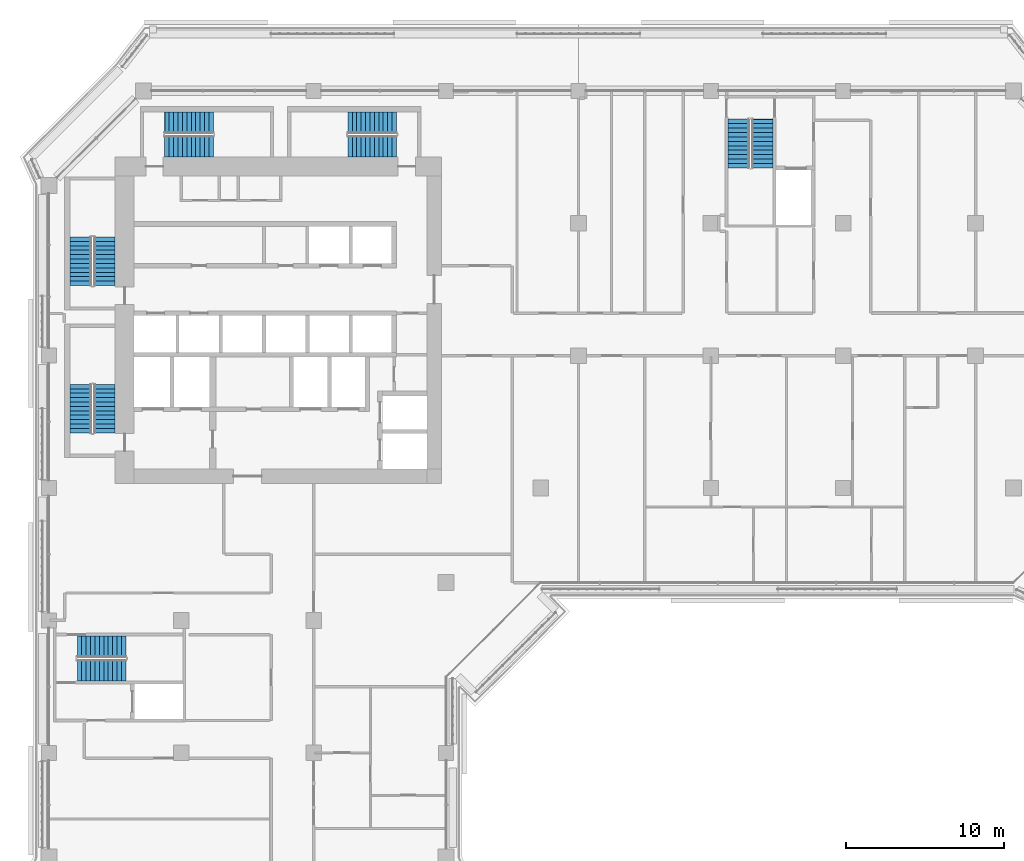
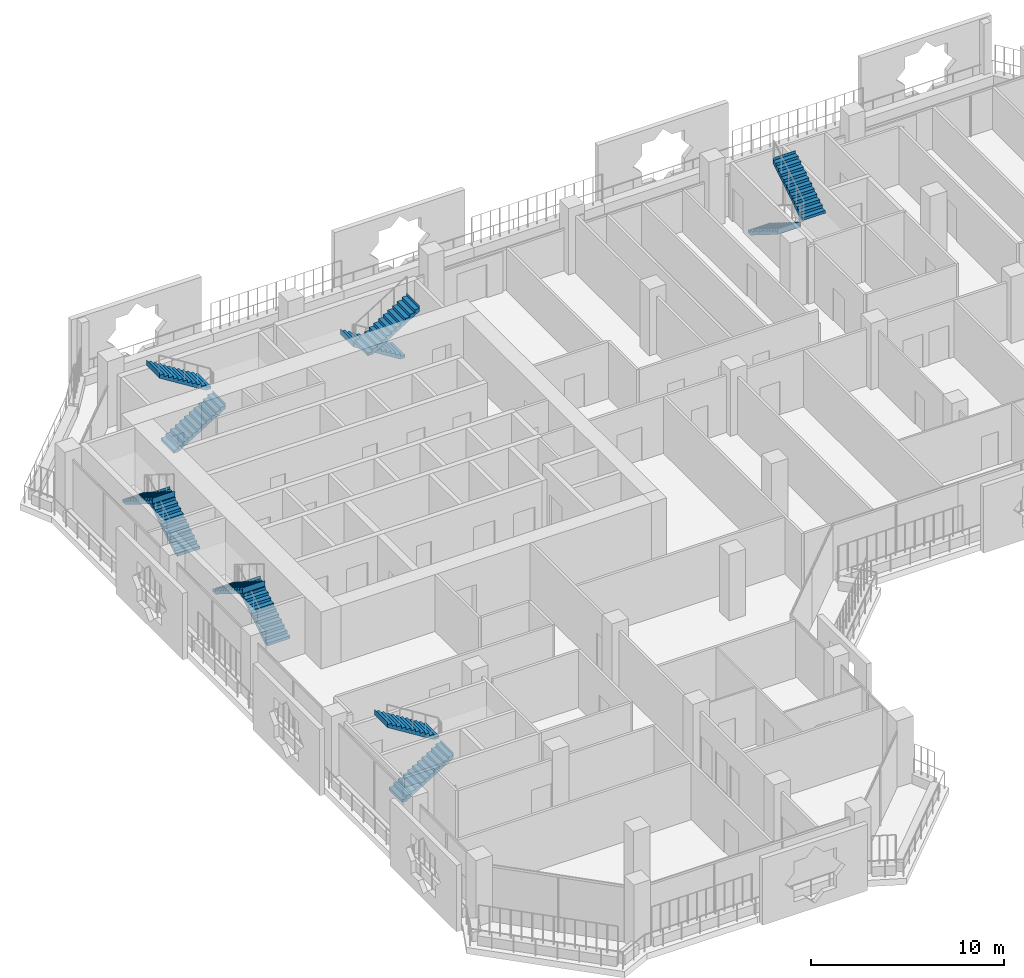
# One storey, part 15 of 22: 12 stair flights, 6 elements without a shape of their own.
"""IFC4 building model written with IfcOpenShell, lengths in metres."""

from ifc_helpers import new_model, si_unit, direction, frame, origin, place, context, subcontext, project, spatial, polyline, outline, extrude, material, type_object, element, aggregate, save


model = new_model("IFC4")

# Units and contexts
model_context = context("Model", 3, precision=1e-05, world=origin(), true_north=direction((0.0, 1.0)))
body_context = subcontext(model_context, "Body", "Model", "MODEL_VIEW")
ifc_project = project(units=[si_unit("LENGTHUNIT", "METRE"), si_unit("AREAUNIT", "SQUARE_METRE"), si_unit("VOLUMEUNIT", "CUBIC_METRE"), si_unit("PLANEANGLEUNIT", "RADIAN"), si_unit("MASSUNIT", "GRAM", prefix="KILO")], contexts=[model_context])

# Site, building, storey
site_placement = place(None, origin())
site = spatial("IfcSite", under=ifc_project, at=site_placement, CompositionType="ELEMENT")
building_placement = place(site_placement, origin())
building = spatial("IfcBuilding", under=site, at=building_placement, Name="Kawkab Arch Medical Tower", CompositionType="ELEMENT")
storey_placement = place(building_placement, frame((0.0, 0.0, 204.60009765625)))
storey = spatial("IfcBuildingStorey", under=building, at=storey_placement, Name="L47", CompositionType="ELEMENT", Elevation=204.60009765625)

# Stair, stair flights
ifc_material_1 = material(Name="Concrete C40/50", Category="concrete")
stair_type = type_object("IfcStairType", Name="Exit stair 1350", PredefinedType="HALF_TURN_STAIR", material=ifc_material_1)
placement = place(storey_placement, origin())
stair_1 = element("IfcStair", 1, at=placement, inside=storey, type_object=stair_type, Name="L47 Exit stair ST1", PredefinedType="HALF_TURN_STAIR")
ifc_material_2 = material(Name="Concrete C40/50", Category="concrete")
stair_flight_type = type_object("IfcStairFlightType", Name="Exit stair flight 1350", PredefinedType="STRAIGHT", material=ifc_material_2)
stair_flight_1_placement = place(storey_placement, frame((3.52490234375, -12.35009765625, 0.0), z_axis=(0.0, 0.0, 1.0), x_axis=(0.0, 1.0, 0.0)))
stair_flight_1 = element("IfcStairFlight", 2, at=stair_flight_1_placement, type_object=stair_flight_type, Name="ST1 flight 1", NumberOfRisers=12, NumberOfTreads=11, PredefinedType="STRAIGHT", RiserHeight=0.175, TreadLength=0.28, context=body_context, shape_type="SweptSolid", body=[
    extrude(outline(polyline([(-0.0029296875, 0.0), (-0.0029296875, 0.175048828125), (0.0, 0.175048828125), (0.280029296875, 0.175048828125), (0.280029296875, 0.35009765625), (0.56005859375, 0.35009765625), (0.56005859375, 0.52490234375), (0.840087890625, 0.52490234375), (0.840087890625, 0.699951171875), (1.1201171875, 0.699951171875), (1.1201171875, 0.875), (1.39990234375, 0.875), (1.39990234375, 1.050048828125), (1.679931640625, 1.050048828125), (1.679931640625, 1.22509765625), (1.9599609375, 1.22509765625), (1.9599609375, 1.39990234375), (2.239990234375, 1.39990234375), (2.239990234375, 1.574951171875), (2.52001953125, 1.574951171875), (2.52001953125, 1.75), (2.800048828125, 1.75), (2.800048828125, 1.925048828125), (3.080078125, 1.925048828125), (3.080078125, 2.10009765625), (3.0830078125, 2.10009765625), (3.0830078125, 1.748291015625), (3.080078125, 1.748291015625), (0.28271484375, 0.0), (-0.0029296875, 0.0)])), frame((0.0, 0.675048828125, 0.0), z_axis=(0.0, -1.0, 0.0), x_axis=(1.0, 0.0, 0.0)), (0.0, 0.0, 1.0), 1.35009765625),
])
stair_flight_2_placement = place(storey_placement, frame((2.02490234375, -9.27001953125, 2.099853515625), z_axis=(0.0, 0.0, 1.0), x_axis=(0.0, -1.0, 0.0)))
stair_flight_2 = element("IfcStairFlight", 3, at=stair_flight_2_placement, type_object=stair_flight_type, Name="ST1 flight 2", NumberOfRisers=12, NumberOfTreads=11, PredefinedType="STRAIGHT", RiserHeight=0.175, TreadLength=0.28, context=body_context, shape_type="SweptSolid", body=[
    extrude(outline(polyline([(-0.0029296875, 0.0), (-0.0029296875, 0.175048828125), (0.0, 0.175048828125), (0.280029296875, 0.175048828125), (0.280029296875, 0.35009765625), (0.56005859375, 0.35009765625), (0.56005859375, 0.52490234375), (0.840087890625, 0.52490234375), (0.840087890625, 0.699951171875), (1.1201171875, 0.699951171875), (1.1201171875, 0.875), (1.39990234375, 0.875), (1.39990234375, 1.050048828125), (1.679931640625, 1.050048828125), (1.679931640625, 1.22509765625), (1.9599609375, 1.22509765625), (1.9599609375, 1.39990234375), (2.239990234375, 1.39990234375), (2.239990234375, 1.574951171875), (2.52001953125, 1.574951171875), (2.52001953125, 1.75), (2.800048828125, 1.75), (2.800048828125, 1.925048828125), (3.080078125, 1.925048828125), (3.080078125, 2.10009765625), (3.0830078125, 2.10009765625), (3.0830078125, 1.748291015625), (3.080078125, 1.748291015625), (0.28271484375, 0.0), (-0.0029296875, 0.0)])), frame((0.0, 0.675048828125, 0.0), z_axis=(0.0, -1.0, 0.0), x_axis=(1.0, 0.0, 0.0)), (0.0, 0.0, 1.0), 1.35009765625),
])
aggregate(stair_1, [stair_flight_1, stair_flight_2])

stair_2 = element("IfcStair", 4, at=placement, inside=storey, type_object=stair_type, Name="L47 Exit stair ST2", PredefinedType="HALF_TURN_STAIR")
stair_flight_3_placement = place(storey_placement, frame((3.52490234375, -21.699951171875, 0.0), z_axis=(0.0, 0.0, 1.0), x_axis=(0.0, 1.0, 0.0)))
stair_flight_3 = element("IfcStairFlight", 5, at=stair_flight_3_placement, type_object=stair_flight_type, Name="ST2 flight 1", NumberOfRisers=12, NumberOfTreads=11, PredefinedType="STRAIGHT", RiserHeight=0.175, TreadLength=0.28, context=body_context, shape_type="SweptSolid", body=[
    extrude(outline(polyline([(-0.0029296875, 0.0), (-0.0029296875, 0.175048828125), (0.0, 0.175048828125), (0.280029296875, 0.175048828125), (0.280029296875, 0.35009765625), (0.56005859375, 0.35009765625), (0.56005859375, 0.52490234375), (0.840087890625, 0.52490234375), (0.840087890625, 0.699951171875), (1.1201171875, 0.699951171875), (1.1201171875, 0.875), (1.39990234375, 0.875), (1.39990234375, 1.050048828125), (1.679931640625, 1.050048828125), (1.679931640625, 1.22509765625), (1.9599609375, 1.22509765625), (1.9599609375, 1.39990234375), (2.239990234375, 1.39990234375), (2.239990234375, 1.574951171875), (2.52001953125, 1.574951171875), (2.52001953125, 1.75), (2.800048828125, 1.75), (2.800048828125, 1.925048828125), (3.080078125, 1.925048828125), (3.080078125, 2.10009765625), (3.0830078125, 2.10009765625), (3.0830078125, 1.748291015625), (3.080078125, 1.748291015625), (0.28271484375, 0.0), (-0.0029296875, 0.0)])), frame((0.0, 0.675048828125, 0.0), z_axis=(0.0, -1.0, 0.0), x_axis=(1.0, 0.0, 0.0)), (0.0, 0.0, 1.0), 1.35009765625),
])
stair_flight_4_placement = place(storey_placement, frame((2.02490234375, -18.6201171875, 2.099853515625), z_axis=(0.0, 0.0, 1.0), x_axis=(0.0, -1.0, 0.0)))
stair_flight_4 = element("IfcStairFlight", 6, at=stair_flight_4_placement, type_object=stair_flight_type, Name="ST2 flight 2", NumberOfRisers=12, NumberOfTreads=11, PredefinedType="STRAIGHT", RiserHeight=0.175, TreadLength=0.28, context=body_context, shape_type="SweptSolid", body=[
    extrude(outline(polyline([(-0.0029296875, 0.0), (-0.0029296875, 0.175048828125), (0.0, 0.175048828125), (0.280029296875, 0.175048828125), (0.280029296875, 0.35009765625), (0.56005859375, 0.35009765625), (0.56005859375, 0.52490234375), (0.840087890625, 0.52490234375), (0.840087890625, 0.699951171875), (1.1201171875, 0.699951171875), (1.1201171875, 0.875), (1.39990234375, 0.875), (1.39990234375, 1.050048828125), (1.679931640625, 1.050048828125), (1.679931640625, 1.22509765625), (1.9599609375, 1.22509765625), (1.9599609375, 1.39990234375), (2.239990234375, 1.39990234375), (2.239990234375, 1.574951171875), (2.52001953125, 1.574951171875), (2.52001953125, 1.75), (2.800048828125, 1.75), (2.800048828125, 1.925048828125), (3.080078125, 1.925048828125), (3.080078125, 2.10009765625), (3.0830078125, 2.10009765625), (3.0830078125, 1.748291015625), (3.080078125, 1.748291015625), (0.28271484375, 0.0), (-0.0029296875, 0.0)])), frame((0.0, 0.675048828125, 0.0), z_axis=(0.0, -1.0, 0.0), x_axis=(1.0, 0.0, 0.0)), (0.0, 0.0, 1.0), 1.35009765625),
])
aggregate(stair_2, [stair_flight_3, stair_flight_4])

stair_3 = element("IfcStair", 7, at=placement, inside=storey, type_object=stair_type, Name="L47 Exit stair ST3", PredefinedType="HALF_TURN_STAIR")
stair_flight_5_placement = place(storey_placement, frame((7.35009765625, -3.52490234375, 0.0), z_axis=(0.0, 0.0, 1.0), x_axis=(1.0, 0.0, 0.0)))
stair_flight_5 = element("IfcStairFlight", 8, at=stair_flight_5_placement, type_object=stair_flight_type, Name="ST3 flight 1", NumberOfRisers=12, NumberOfTreads=11, PredefinedType="STRAIGHT", RiserHeight=0.175, TreadLength=0.28, context=body_context, shape_type="SweptSolid", body=[
    extrude(outline(polyline([(-0.0029296875, 0.0), (-0.0029296875, 0.175048828125), (0.0, 0.175048828125), (0.280029296875, 0.175048828125), (0.280029296875, 0.35009765625), (0.56005859375, 0.35009765625), (0.56005859375, 0.52490234375), (0.840087890625, 0.52490234375), (0.840087890625, 0.699951171875), (1.1201171875, 0.699951171875), (1.1201171875, 0.875), (1.39990234375, 0.875), (1.39990234375, 1.050048828125), (1.679931640625, 1.050048828125), (1.679931640625, 1.22509765625), (1.9599609375, 1.22509765625), (1.9599609375, 1.39990234375), (2.239990234375, 1.39990234375), (2.239990234375, 1.574951171875), (2.52001953125, 1.574951171875), (2.52001953125, 1.75), (2.800048828125, 1.75), (2.800048828125, 1.925048828125), (3.080078125, 1.925048828125), (3.080078125, 2.10009765625), (3.0830078125, 2.10009765625), (3.0830078125, 1.748291015625), (3.080078125, 1.748291015625), (0.28271484375, 0.0), (-0.0029296875, 0.0)])), frame((0.0, 0.675048828125, 0.0), z_axis=(0.0, -1.0, 0.0), x_axis=(1.0, 0.0, 0.0)), (0.0, 0.0, 1.0), 1.35009765625),
])
stair_flight_6_placement = place(storey_placement, frame((10.429931640625, -2.02490234375, 2.099853515625), z_axis=(0.0, 0.0, 1.0), x_axis=(-1.0, 0.0, 0.0)))
stair_flight_6 = element("IfcStairFlight", 9, at=stair_flight_6_placement, type_object=stair_flight_type, Name="ST3 flight 2", NumberOfRisers=12, NumberOfTreads=11, PredefinedType="STRAIGHT", RiserHeight=0.175, TreadLength=0.28, context=body_context, shape_type="SweptSolid", body=[
    extrude(outline(polyline([(-0.0029296875, 0.0), (-0.0029296875, 0.175048828125), (0.0, 0.175048828125), (0.280029296875, 0.175048828125), (0.280029296875, 0.35009765625), (0.56005859375, 0.35009765625), (0.56005859375, 0.52490234375), (0.840087890625, 0.52490234375), (0.840087890625, 0.699951171875), (1.1201171875, 0.699951171875), (1.1201171875, 0.875), (1.39990234375, 0.875), (1.39990234375, 1.050048828125), (1.679931640625, 1.050048828125), (1.679931640625, 1.22509765625), (1.9599609375, 1.22509765625), (1.9599609375, 1.39990234375), (2.239990234375, 1.39990234375), (2.239990234375, 1.574951171875), (2.52001953125, 1.574951171875), (2.52001953125, 1.75), (2.800048828125, 1.75), (2.800048828125, 1.925048828125), (3.080078125, 1.925048828125), (3.080078125, 2.10009765625), (3.0830078125, 2.10009765625), (3.0830078125, 1.748291015625), (3.080078125, 1.748291015625), (0.28271484375, 0.0), (-0.0029296875, 0.0)])), frame((0.0, 0.675048828125, 0.0), z_axis=(0.0, -1.0, 0.0), x_axis=(1.0, 0.0, 0.0)), (0.0, 0.0, 1.0), 1.35009765625),
])
aggregate(stair_3, [stair_flight_5, stair_flight_6])

stair_4 = element("IfcStair", 10, at=placement, inside=storey, type_object=stair_type, Name="L47 Exit stair ST4", PredefinedType="HALF_TURN_STAIR")
stair_flight_7_placement = place(storey_placement, frame((22.050048828125, -2.02490234375, 0.0), z_axis=(0.0, 0.0, 1.0), x_axis=(-1.0, 0.0, 0.0)))
stair_flight_7 = element("IfcStairFlight", 11, at=stair_flight_7_placement, type_object=stair_flight_type, Name="ST4 flight 1", NumberOfRisers=12, NumberOfTreads=11, PredefinedType="STRAIGHT", RiserHeight=0.175, TreadLength=0.28, context=body_context, shape_type="SweptSolid", body=[
    extrude(outline(polyline([(-0.0029296875, 0.0), (-0.0029296875, 0.175048828125), (0.0, 0.175048828125), (0.280029296875, 0.175048828125), (0.280029296875, 0.35009765625), (0.56005859375, 0.35009765625), (0.56005859375, 0.52490234375), (0.840087890625, 0.52490234375), (0.840087890625, 0.699951171875), (1.1201171875, 0.699951171875), (1.1201171875, 0.875), (1.39990234375, 0.875), (1.39990234375, 1.050048828125), (1.679931640625, 1.050048828125), (1.679931640625, 1.22509765625), (1.9599609375, 1.22509765625), (1.9599609375, 1.39990234375), (2.239990234375, 1.39990234375), (2.239990234375, 1.574951171875), (2.52001953125, 1.574951171875), (2.52001953125, 1.75), (2.800048828125, 1.75), (2.800048828125, 1.925048828125), (3.080078125, 1.925048828125), (3.080078125, 2.10009765625), (3.0830078125, 2.10009765625), (3.0830078125, 1.748291015625), (3.080078125, 1.748291015625), (0.28271484375, 0.0), (-0.0029296875, 0.0)])), frame((0.0, 0.675048828125, 0.0), z_axis=(0.0, -1.0, 0.0), x_axis=(1.0, 0.0, 0.0)), (0.0, 0.0, 1.0), 1.35009765625),
])
stair_flight_8_placement = place(storey_placement, frame((18.969970703125, -3.52490234375, 2.099853515625), z_axis=(0.0, 0.0, 1.0), x_axis=(1.0, 0.0, 0.0)))
stair_flight_8 = element("IfcStairFlight", 12, at=stair_flight_8_placement, type_object=stair_flight_type, Name="ST4 flight 2", NumberOfRisers=12, NumberOfTreads=11, PredefinedType="STRAIGHT", RiserHeight=0.175, TreadLength=0.28, context=body_context, shape_type="SweptSolid", body=[
    extrude(outline(polyline([(-0.0029296875, 0.0), (-0.0029296875, 0.175048828125), (0.0, 0.175048828125), (0.280029296875, 0.175048828125), (0.280029296875, 0.35009765625), (0.56005859375, 0.35009765625), (0.56005859375, 0.52490234375), (0.840087890625, 0.52490234375), (0.840087890625, 0.699951171875), (1.1201171875, 0.699951171875), (1.1201171875, 0.875), (1.39990234375, 0.875), (1.39990234375, 1.050048828125), (1.679931640625, 1.050048828125), (1.679931640625, 1.22509765625), (1.9599609375, 1.22509765625), (1.9599609375, 1.39990234375), (2.239990234375, 1.39990234375), (2.239990234375, 1.574951171875), (2.52001953125, 1.574951171875), (2.52001953125, 1.75), (2.800048828125, 1.75), (2.800048828125, 1.925048828125), (3.080078125, 1.925048828125), (3.080078125, 2.10009765625), (3.0830078125, 2.10009765625), (3.0830078125, 1.748291015625), (3.080078125, 1.748291015625), (0.28271484375, 0.0), (-0.0029296875, 0.0)])), frame((0.0, 0.675048828125, 0.0), z_axis=(0.0, -1.0, 0.0), x_axis=(1.0, 0.0, 0.0)), (0.0, 0.0, 1.0), 1.35009765625),
])
aggregate(stair_4, [stair_flight_7, stair_flight_8])

stair_5 = element("IfcStair", 13, at=placement, inside=storey, type_object=stair_type, Name="L47 Exit stair ST5", PredefinedType="HALF_TURN_STAIR")
stair_flight_9_placement = place(storey_placement, frame((43.77490234375, -1.800048828125, 0.0), z_axis=(0.0, 0.0, 1.0), x_axis=(0.0, -1.0, 0.0)))
stair_flight_9 = element("IfcStairFlight", 14, at=stair_flight_9_placement, type_object=stair_flight_type, Name="ST5 flight 1", NumberOfRisers=12, NumberOfTreads=11, PredefinedType="STRAIGHT", RiserHeight=0.175, TreadLength=0.28, context=body_context, shape_type="SweptSolid", body=[
    extrude(outline(polyline([(-0.0029296875, 0.0), (-0.0029296875, 0.175048828125), (0.0, 0.175048828125), (0.280029296875, 0.175048828125), (0.280029296875, 0.35009765625), (0.56005859375, 0.35009765625), (0.56005859375, 0.52490234375), (0.840087890625, 0.52490234375), (0.840087890625, 0.699951171875), (1.1201171875, 0.699951171875), (1.1201171875, 0.875), (1.39990234375, 0.875), (1.39990234375, 1.050048828125), (1.679931640625, 1.050048828125), (1.679931640625, 1.22509765625), (1.9599609375, 1.22509765625), (1.9599609375, 1.39990234375), (2.239990234375, 1.39990234375), (2.239990234375, 1.574951171875), (2.52001953125, 1.574951171875), (2.52001953125, 1.75), (2.800048828125, 1.75), (2.800048828125, 1.925048828125), (3.080078125, 1.925048828125), (3.080078125, 2.10009765625), (3.0830078125, 2.10009765625), (3.0830078125, 1.748291015625), (3.080078125, 1.748291015625), (0.28271484375, 0.0), (-0.0029296875, 0.0)])), frame((0.0, 0.675048828125, 0.0), z_axis=(0.0, -1.0, 0.0), x_axis=(1.0, 0.0, 0.0)), (0.0, 0.0, 1.0), 1.35009765625),
])
stair_flight_10_placement = place(storey_placement, frame((45.27490234375, -4.8798828125, 2.099853515625), z_axis=(0.0, 0.0, 1.0), x_axis=(0.0, 1.0, 0.0)))
stair_flight_10 = element("IfcStairFlight", 15, at=stair_flight_10_placement, type_object=stair_flight_type, Name="ST5 flight 2", NumberOfRisers=12, NumberOfTreads=11, PredefinedType="STRAIGHT", RiserHeight=0.175, TreadLength=0.28, context=body_context, shape_type="SweptSolid", body=[
    extrude(outline(polyline([(-0.0029296875, 0.0), (-0.0029296875, 0.175048828125), (0.0, 0.175048828125), (0.280029296875, 0.175048828125), (0.280029296875, 0.35009765625), (0.56005859375, 0.35009765625), (0.56005859375, 0.52490234375), (0.840087890625, 0.52490234375), (0.840087890625, 0.699951171875), (1.1201171875, 0.699951171875), (1.1201171875, 0.875), (1.39990234375, 0.875), (1.39990234375, 1.050048828125), (1.679931640625, 1.050048828125), (1.679931640625, 1.22509765625), (1.9599609375, 1.22509765625), (1.9599609375, 1.39990234375), (2.239990234375, 1.39990234375), (2.239990234375, 1.574951171875), (2.52001953125, 1.574951171875), (2.52001953125, 1.75), (2.800048828125, 1.75), (2.800048828125, 1.925048828125), (3.080078125, 1.925048828125), (3.080078125, 2.10009765625), (3.0830078125, 2.10009765625), (3.0830078125, 1.748291015625), (3.080078125, 1.748291015625), (0.28271484375, 0.0), (-0.0029296875, 0.0)])), frame((0.0, 0.675048828125, 0.0), z_axis=(0.0, -1.0, 0.0), x_axis=(1.0, 0.0, 0.0)), (0.0, 0.0, 1.0), 1.35009765625),
])
aggregate(stair_5, [stair_flight_9, stair_flight_10])

stair_6 = element("IfcStair", 16, at=placement, inside=storey, type_object=stair_type, Name="L47 Exit stair ST6", PredefinedType="HALF_TURN_STAIR")
stair_flight_11_placement = place(storey_placement, frame((1.800048828125, -36.77490234375, 0.0), z_axis=(0.0, 0.0, 1.0), x_axis=(1.0, 0.0, 0.0)))
stair_flight_11 = element("IfcStairFlight", 17, at=stair_flight_11_placement, type_object=stair_flight_type, Name="ST6 flight 1", NumberOfRisers=12, NumberOfTreads=11, PredefinedType="STRAIGHT", RiserHeight=0.175, TreadLength=0.28, context=body_context, shape_type="SweptSolid", body=[
    extrude(outline(polyline([(-0.0029296875, 0.0), (-0.0029296875, 0.175048828125), (0.0, 0.175048828125), (0.280029296875, 0.175048828125), (0.280029296875, 0.35009765625), (0.56005859375, 0.35009765625), (0.56005859375, 0.52490234375), (0.840087890625, 0.52490234375), (0.840087890625, 0.699951171875), (1.1201171875, 0.699951171875), (1.1201171875, 0.875), (1.39990234375, 0.875), (1.39990234375, 1.050048828125), (1.679931640625, 1.050048828125), (1.679931640625, 1.22509765625), (1.9599609375, 1.22509765625), (1.9599609375, 1.39990234375), (2.239990234375, 1.39990234375), (2.239990234375, 1.574951171875), (2.52001953125, 1.574951171875), (2.52001953125, 1.75), (2.800048828125, 1.75), (2.800048828125, 1.925048828125), (3.080078125, 1.925048828125), (3.080078125, 2.10009765625), (3.0830078125, 2.10009765625), (3.0830078125, 1.748291015625), (3.080078125, 1.748291015625), (0.28271484375, 0.0), (-0.0029296875, 0.0)])), frame((0.0, 0.675048828125, 0.0), z_axis=(0.0, -1.0, 0.0), x_axis=(1.0, 0.0, 0.0)), (0.0, 0.0, 1.0), 1.35009765625),
])
stair_flight_12_placement = place(storey_placement, frame((4.8798828125, -35.27490234375, 2.099853515625), z_axis=(0.0, 0.0, 1.0), x_axis=(-1.0, 0.0, 0.0)))
stair_flight_12 = element("IfcStairFlight", 18, at=stair_flight_12_placement, type_object=stair_flight_type, Name="ST6 flight 2", NumberOfRisers=12, NumberOfTreads=11, PredefinedType="STRAIGHT", RiserHeight=0.175, TreadLength=0.28, context=body_context, shape_type="SweptSolid", body=[
    extrude(outline(polyline([(-0.0029296875, 0.0), (-0.0029296875, 0.175048828125), (0.0, 0.175048828125), (0.280029296875, 0.175048828125), (0.280029296875, 0.35009765625), (0.56005859375, 0.35009765625), (0.56005859375, 0.52490234375), (0.840087890625, 0.52490234375), (0.840087890625, 0.699951171875), (1.1201171875, 0.699951171875), (1.1201171875, 0.875), (1.39990234375, 0.875), (1.39990234375, 1.050048828125), (1.679931640625, 1.050048828125), (1.679931640625, 1.22509765625), (1.9599609375, 1.22509765625), (1.9599609375, 1.39990234375), (2.239990234375, 1.39990234375), (2.239990234375, 1.574951171875), (2.52001953125, 1.574951171875), (2.52001953125, 1.75), (2.800048828125, 1.75), (2.800048828125, 1.925048828125), (3.080078125, 1.925048828125), (3.080078125, 2.10009765625), (3.0830078125, 2.10009765625), (3.0830078125, 1.748291015625), (3.080078125, 1.748291015625), (0.28271484375, 0.0), (-0.0029296875, 0.0)])), frame((0.0, 0.675048828125, 0.0), z_axis=(0.0, -1.0, 0.0), x_axis=(1.0, 0.0, 0.0)), (0.0, 0.0, 1.0), 1.35009765625),
])
aggregate(stair_6, [stair_flight_11, stair_flight_12])

save(model, "model.ifc")
